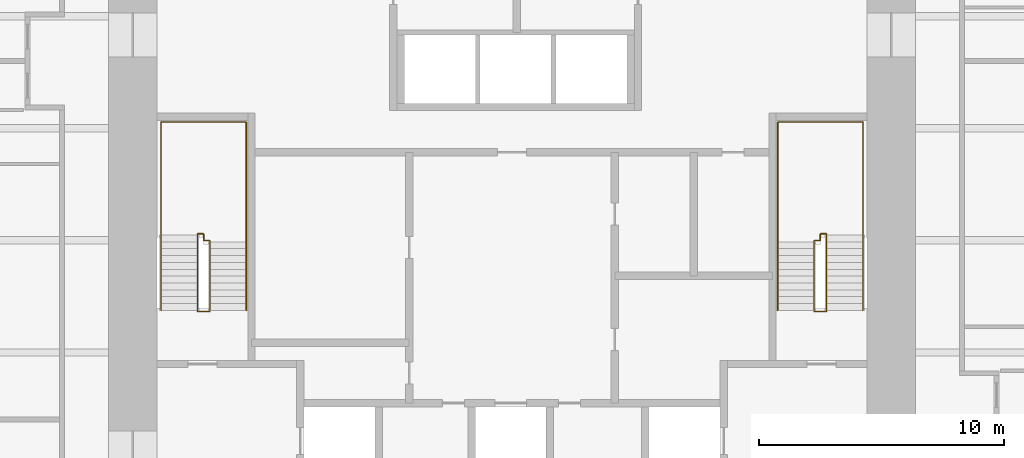
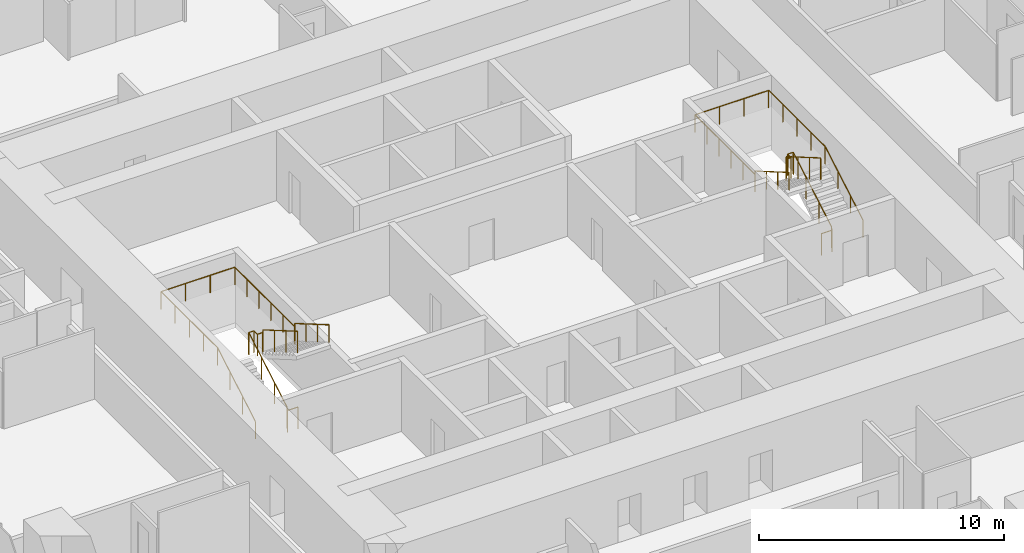
# One storey, part 13 of 13: 4 railings.
"""IFC4 building model written with IfcOpenShell, lengths in metres."""

from ifc_helpers import new_model, si_unit, direction, frame, origin, origin_2d, place, context, subcontext, project, spatial, circle, extrude, material, type_object, element, save


model = new_model("IFC4")

# Units and contexts
model_context = context("Model", 3, precision=1e-05, world=origin(), true_north=direction((0.0, 1.0)))
body_context = subcontext(model_context, "Body", "Model", "MODEL_VIEW")
ifc_project = project(units=[si_unit("LENGTHUNIT", "METRE"), si_unit("AREAUNIT", "SQUARE_METRE"), si_unit("VOLUMEUNIT", "CUBIC_METRE"), si_unit("PLANEANGLEUNIT", "RADIAN"), si_unit("MASSUNIT", "GRAM", prefix="KILO")], contexts=[model_context])

# Site, building, storey
site_placement = place(None, origin())
site = spatial("IfcSite", under=ifc_project, at=site_placement, CompositionType="ELEMENT")
building_placement = place(site_placement, origin())
building = spatial("IfcBuilding", under=site, at=building_placement, Name="Khuree Lantern Residences", CompositionType="ELEMENT")
storey_placement = place(building_placement, frame((0.0, 0.0, 122.25)))
storey = spatial("IfcBuildingStorey", under=building, at=storey_placement, Name="L30", CompositionType="ELEMENT", Elevation=122.25)

# Railings
ifc_material = material(Name="Steel S355", Category="steel")
railing_type_1 = type_object("IfcRailingType", Name="STAIR GUARD G1 1100", PredefinedType="GUARDRAIL", material=ifc_material)
railing_1_placement = place(storey_placement, frame((-12.35009765625, -2.909912109375, 0.0)))
element("IfcRailing", 1, at=railing_1_placement, inside=storey, type_object=railing_type_1, Name="Stair ST1 guard", PredefinedType="GUARDRAIL", context=body_context, shape_type="SweptSolid", body=[
    extrude(circle(Radius=0.02392578125, at=origin_2d()), frame((0.0, 0.0, 1.076171875), z_axis=(-1.0, 0.0, 0.0), x_axis=(0.0, -1.0, 0.0)), (0.0, 0.0, 1.0), 0.5),
    extrude(circle(Radius=0.02392578125, at=origin_2d()), frame((-0.5, 0.0, 1.076171875), z_axis=(0.0, 0.292073035251, 0.95639601739), x_axis=(-1.0, 0.0, 0.0)), (0.0, 0.0, 1.0), 0.17041015625),
    extrude(circle(Radius=0.02392578125, at=origin_2d()), frame((-0.5, 0.0498046875, 1.2392578125), z_axis=(0.0, 0.864176135923, 0.503189433615), x_axis=(-1.0, 0.0, 0.0)), (0.0, 0.0, 1.0), 3.564208984375),
    extrude(circle(Radius=0.02392578125, at=origin_2d()), frame((-0.5, 3.1298828125, 3.03271484375), z_axis=(0.0, 1.0, 0.0), x_axis=(-1.0, 0.0, 0.0)), (0.0, 0.0, 1.0), 0.050048828125),
    extrude(circle(Radius=0.02392578125, at=origin_2d()), frame((-0.5, 3.179931640625, 3.03271484375), z_axis=(1.0, 0.0, 0.0), x_axis=(0.0, 1.0, 0.0)), (0.0, 0.0, 1.0), 0.25),
    extrude(circle(Radius=0.02392578125, at=origin_2d()), frame((-0.25, 3.179931640625, 3.03271484375), z_axis=(0.0, -1.0, 0.0), x_axis=(1.0, 0.0, 0.0)), (0.0, 0.0, 1.0), 0.280029296875),
    extrude(circle(Radius=0.02392578125, at=origin_2d()), frame((-0.25, 2.89990234375, 3.03271484375), z_axis=(1.0, 0.0, 0.0), x_axis=(0.0, 1.0, 0.0)), (0.0, 0.0, 1.0), 0.25),
    extrude(circle(Radius=0.02392578125, at=origin_2d()), frame((0.0, 2.89990234375, 3.03271484375), z_axis=(0.0, -0.293381807449, 0.955995353053), x_axis=(1.0, 0.0, 0.0)), (0.0, 0.0, 1.0), 0.170654296875),
    extrude(circle(Radius=0.02392578125, at=origin_2d()), frame((0.0, 2.849853515625, 3.19580078125), z_axis=(0.0, -0.864180358799, 0.503182181189), x_axis=(1.0, 0.0, 0.0)), (0.0, 0.0, 1.0), 3.240234375),
    extrude(circle(Radius=0.02099609375, at=origin_2d()), origin(), (0.0, 0.0, 1.0), 1.052001953125),
    extrude(circle(Radius=0.02099609375, at=origin_2d()), frame((-0.5, 0.0, 0.0)), (0.0, 0.0, 1.0), 1.052001953125),
    extrude(circle(Radius=0.02099609375, at=origin_2d()), frame((-0.5, 0.0498046875, 0.1630859375)), (0.0, 0.0, 1.0), 1.052001953125),
    extrude(circle(Radius=0.02099609375, at=origin_2d()), frame((-0.5, 1.076416015625, 0.760986328125)), (0.0, 0.0, 1.0), 1.052001953125),
    extrude(circle(Radius=0.02099609375, at=origin_2d()), frame((-0.5, 2.103271484375, 1.358642578125)), (0.0, 0.0, 1.0), 1.052001953125),
    extrude(circle(Radius=0.02099609375, at=origin_2d()), frame((-0.5, 3.1298828125, 1.95654296875)), (0.0, 0.0, 1.0), 1.052001953125),
    extrude(circle(Radius=0.02099609375, at=origin_2d()), frame((-0.5, 3.179931640625, 1.95654296875)), (0.0, 0.0, 1.0), 1.052001953125),
    extrude(circle(Radius=0.02099609375, at=origin_2d()), frame((-0.25, 3.179931640625, 1.95654296875)), (0.0, 0.0, 1.0), 1.052001953125),
    extrude(circle(Radius=0.02099609375, at=origin_2d()), frame((-0.25, 2.89990234375, 1.95654296875)), (0.0, 0.0, 1.0), 1.052001953125),
    extrude(circle(Radius=0.02099609375, at=origin_2d()), frame((0.0, 2.89990234375, 1.95654296875)), (0.0, 0.0, 1.0), 1.052001953125),
    extrude(circle(Radius=0.02099609375, at=origin_2d()), frame((0.0, 2.849853515625, 2.11962890625)), (0.0, 0.0, 1.0), 1.052001953125),
    extrude(circle(Radius=0.02099609375, at=origin_2d()), frame((0.0, 1.91650390625, 2.6630859375)), (0.0, 0.0, 1.0), 1.052001953125),
    extrude(circle(Radius=0.02099609375, at=origin_2d()), frame((0.0, 0.983154296875, 3.20654296875)), (0.0, 0.0, 1.0), 1.052001953125),
    extrude(circle(Radius=0.02099609375, at=origin_2d()), frame((0.0, 0.0498046875, 3.75)), (0.0, 0.0, 1.0), 1.052001953125),
])
railing_2_placement = place(storey_placement, frame((12.35009765625, -2.909912109375, 0.0)))
element("IfcRailing", 2, at=railing_2_placement, inside=storey, type_object=railing_type_1, Name="Stair ST2 guard", PredefinedType="GUARDRAIL", context=body_context, shape_type="SweptSolid", body=[
    extrude(circle(Radius=0.02392578125, at=origin_2d()), frame((0.0, 0.0, 1.076171875), z_axis=(1.0, 0.0, 0.0), x_axis=(0.0, 1.0, 0.0)), (0.0, 0.0, 1.0), 0.5),
    extrude(circle(Radius=0.02392578125, at=origin_2d()), frame((0.5, 0.0, 1.076171875), z_axis=(0.0, 0.292073035251, 0.95639601739), x_axis=(-1.0, 0.0, 0.0)), (0.0, 0.0, 1.0), 0.17041015625),
    extrude(circle(Radius=0.02392578125, at=origin_2d()), frame((0.5, 0.0498046875, 1.2392578125), z_axis=(0.0, 0.864176135923, 0.503189433615), x_axis=(-1.0, 0.0, 0.0)), (0.0, 0.0, 1.0), 3.564208984375),
    extrude(circle(Radius=0.02392578125, at=origin_2d()), frame((0.5, 3.1298828125, 3.03271484375), z_axis=(0.0, 1.0, 0.0), x_axis=(-1.0, 0.0, 0.0)), (0.0, 0.0, 1.0), 0.050048828125),
    extrude(circle(Radius=0.02392578125, at=origin_2d()), frame((0.5, 3.179931640625, 3.03271484375), z_axis=(-1.0, 0.0, 0.0), x_axis=(0.0, -1.0, 0.0)), (0.0, 0.0, 1.0), 0.25),
    extrude(circle(Radius=0.02392578125, at=origin_2d()), frame((0.25, 3.179931640625, 3.03271484375), z_axis=(0.0, -1.0, 0.0), x_axis=(1.0, 0.0, 0.0)), (0.0, 0.0, 1.0), 0.280029296875),
    extrude(circle(Radius=0.02392578125, at=origin_2d()), frame((0.25, 2.89990234375, 3.03271484375), z_axis=(-1.0, 0.0, 0.0), x_axis=(0.0, -1.0, 0.0)), (0.0, 0.0, 1.0), 0.25),
    extrude(circle(Radius=0.02392578125, at=origin_2d()), frame((0.0, 2.89990234375, 3.03271484375), z_axis=(0.0, -0.293381807449, 0.955995353053), x_axis=(1.0, 0.0, 0.0)), (0.0, 0.0, 1.0), 0.170654296875),
    extrude(circle(Radius=0.02392578125, at=origin_2d()), frame((0.0, 2.849853515625, 3.19580078125), z_axis=(0.0, -0.864180358799, 0.503182181189), x_axis=(1.0, 0.0, 0.0)), (0.0, 0.0, 1.0), 3.240234375),
    extrude(circle(Radius=0.02099609375, at=origin_2d()), origin(), (0.0, 0.0, 1.0), 1.052001953125),
    extrude(circle(Radius=0.02099609375, at=origin_2d()), frame((0.5, 0.0, 0.0)), (0.0, 0.0, 1.0), 1.052001953125),
    extrude(circle(Radius=0.02099609375, at=origin_2d()), frame((0.5, 0.0498046875, 0.1630859375)), (0.0, 0.0, 1.0), 1.052001953125),
    extrude(circle(Radius=0.02099609375, at=origin_2d()), frame((0.5, 1.076416015625, 0.760986328125)), (0.0, 0.0, 1.0), 1.052001953125),
    extrude(circle(Radius=0.02099609375, at=origin_2d()), frame((0.5, 2.103271484375, 1.358642578125)), (0.0, 0.0, 1.0), 1.052001953125),
    extrude(circle(Radius=0.02099609375, at=origin_2d()), frame((0.5, 3.1298828125, 1.95654296875)), (0.0, 0.0, 1.0), 1.052001953125),
    extrude(circle(Radius=0.02099609375, at=origin_2d()), frame((0.5, 3.179931640625, 1.95654296875)), (0.0, 0.0, 1.0), 1.052001953125),
    extrude(circle(Radius=0.02099609375, at=origin_2d()), frame((0.25, 3.179931640625, 1.95654296875)), (0.0, 0.0, 1.0), 1.052001953125),
    extrude(circle(Radius=0.02099609375, at=origin_2d()), frame((0.25, 2.89990234375, 1.95654296875)), (0.0, 0.0, 1.0), 1.052001953125),
    extrude(circle(Radius=0.02099609375, at=origin_2d()), frame((0.0, 2.89990234375, 1.95654296875)), (0.0, 0.0, 1.0), 1.052001953125),
    extrude(circle(Radius=0.02099609375, at=origin_2d()), frame((0.0, 2.849853515625, 2.11962890625)), (0.0, 0.0, 1.0), 1.052001953125),
    extrude(circle(Radius=0.02099609375, at=origin_2d()), frame((0.0, 1.91650390625, 2.6630859375)), (0.0, 0.0, 1.0), 1.052001953125),
    extrude(circle(Radius=0.02099609375, at=origin_2d()), frame((0.0, 0.983154296875, 3.20654296875)), (0.0, 0.0, 1.0), 1.052001953125),
    extrude(circle(Radius=0.02099609375, at=origin_2d()), frame((0.0, 0.0498046875, 3.75)), (0.0, 0.0, 1.0), 1.052001953125),
])
railing_type_2 = type_object("IfcRailingType", Name="STAIR HANDRAIL H1 900", PredefinedType="HANDRAIL", material=ifc_material)
railing_3_placement = place(storey_placement, frame((-14.340087890625, -2.860107421875, 0.1630859375)))
element("IfcRailing", 3, at=railing_3_placement, inside=storey, type_object=railing_type_2, Name="Stair ST1 handrail", PredefinedType="HANDRAIL", context=body_context, shape_type="SweptSolid", body=[
    extrude(circle(Radius=0.02392578125, at=origin_2d()), frame((0.0, 0.0, 0.8759765625), z_axis=(0.0, 0.864176135923, 0.503189433615), x_axis=(-1.0, 0.0, 0.0)), (0.0, 0.0, 1.0), 3.564208984375),
    extrude(circle(Radius=0.02392578125, at=origin_2d()), frame((0.0, 3.080078125, 2.66943359375), z_axis=(0.0, 1.0, 0.0), x_axis=(-1.0, 0.0, 0.0)), (0.0, 0.0, 1.0), 4.6201171875),
    extrude(circle(Radius=0.02392578125, at=origin_2d()), frame((0.0, 7.7001953125, 2.66943359375), z_axis=(1.0, 0.0, 0.0), x_axis=(0.0, 1.0, 0.0)), (0.0, 0.0, 1.0), 3.47998046875),
    extrude(circle(Radius=0.02392578125, at=origin_2d()), frame((3.47998046875, 7.7001953125, 2.66943359375), z_axis=(0.0, -1.0, 0.0), x_axis=(1.0, 0.0, 0.0)), (0.0, 0.0, 1.0), 4.900146484375),
    extrude(circle(Radius=0.02392578125, at=origin_2d()), frame((3.47998046875, 2.800048828125, 2.66943359375), z_axis=(0.0, 0.0, 1.0), x_axis=(1.0, 0.0, 0.0)), (0.0, 0.0, 1.0), 0.1630859375),
    extrude(circle(Radius=0.02392578125, at=origin_2d()), frame((3.47998046875, 2.800048828125, 2.83251953125), z_axis=(0.0, -0.864180358799, 0.503182181189), x_axis=(1.0, 0.0, 0.0)), (0.0, 0.0, 1.0), 3.240234375),
    extrude(circle(Radius=0.02099609375, at=origin_2d()), origin(), (0.0, 0.0, 1.0), 0.851806640625),
    extrude(circle(Radius=0.02099609375, at=origin_2d()), frame((0.0, 1.026611328125, 0.597900390625)), (0.0, 0.0, 1.0), 0.851806640625),
    extrude(circle(Radius=0.02099609375, at=origin_2d()), frame((0.0, 2.053466796875, 1.195556640625)), (0.0, 0.0, 1.0), 0.851806640625),
    extrude(circle(Radius=0.02099609375, at=origin_2d()), frame((0.0, 3.080078125, 1.79345703125)), (0.0, 0.0, 1.0), 0.851806640625),
    extrude(circle(Radius=0.02099609375, at=origin_2d()), frame((0.0, 4.235107421875, 1.79345703125)), (0.0, 0.0, 1.0), 0.851806640625),
    extrude(circle(Radius=0.02099609375, at=origin_2d()), frame((0.0, 5.39013671875, 1.79345703125)), (0.0, 0.0, 1.0), 0.851806640625),
    extrude(circle(Radius=0.02099609375, at=origin_2d()), frame((0.0, 6.545166015625, 1.79345703125)), (0.0, 0.0, 1.0), 0.851806640625),
    extrude(circle(Radius=0.02099609375, at=origin_2d()), frame((0.0, 7.7001953125, 1.79345703125)), (0.0, 0.0, 1.0), 0.851806640625),
    extrude(circle(Radius=0.02099609375, at=origin_2d()), frame((1.159912109375, 7.7001953125, 1.79345703125)), (0.0, 0.0, 1.0), 0.851806640625),
    extrude(circle(Radius=0.02099609375, at=origin_2d()), frame((2.320068359375, 7.7001953125, 1.79345703125)), (0.0, 0.0, 1.0), 0.851806640625),
    extrude(circle(Radius=0.02099609375, at=origin_2d()), frame((3.47998046875, 7.7001953125, 1.79345703125)), (0.0, 0.0, 1.0), 0.851806640625),
    extrude(circle(Radius=0.02099609375, at=origin_2d()), frame((3.47998046875, 6.72021484375, 1.79345703125)), (0.0, 0.0, 1.0), 0.851806640625),
    extrude(circle(Radius=0.02099609375, at=origin_2d()), frame((3.47998046875, 5.740234375, 1.79345703125)), (0.0, 0.0, 1.0), 0.851806640625),
    extrude(circle(Radius=0.02099609375, at=origin_2d()), frame((3.47998046875, 4.760009765625, 1.79345703125)), (0.0, 0.0, 1.0), 0.851806640625),
    extrude(circle(Radius=0.02099609375, at=origin_2d()), frame((3.47998046875, 3.780029296875, 1.79345703125)), (0.0, 0.0, 1.0), 0.851806640625),
    extrude(circle(Radius=0.02099609375, at=origin_2d()), frame((3.47998046875, 2.800048828125, 1.79345703125)), (0.0, 0.0, 1.0), 0.851806640625),
    extrude(circle(Radius=0.02099609375, at=origin_2d()), frame((3.47998046875, 2.800048828125, 1.95654296875)), (0.0, 0.0, 1.0), 0.851806640625),
    extrude(circle(Radius=0.02099609375, at=origin_2d()), frame((3.47998046875, 1.86669921875, 2.5)), (0.0, 0.0, 1.0), 0.851806640625),
    extrude(circle(Radius=0.02099609375, at=origin_2d()), frame((3.47998046875, 0.933349609375, 3.04345703125)), (0.0, 0.0, 1.0), 0.851806640625),
    extrude(circle(Radius=0.02099609375, at=origin_2d()), frame((3.47998046875, 0.0, 3.5869140625)), (0.0, 0.0, 1.0), 0.851806640625),
])
railing_4_placement = place(storey_placement, frame((14.340087890625, -2.860107421875, 0.1630859375)))
element("IfcRailing", 4, at=railing_4_placement, inside=storey, type_object=railing_type_2, Name="Stair ST2 handrail", PredefinedType="HANDRAIL", context=body_context, shape_type="SweptSolid", body=[
    extrude(circle(Radius=0.02392578125, at=origin_2d()), frame((0.0, 0.0, 0.8759765625), z_axis=(0.0, 0.864176135923, 0.503189433615), x_axis=(-1.0, 0.0, 0.0)), (0.0, 0.0, 1.0), 3.564208984375),
    extrude(circle(Radius=0.02392578125, at=origin_2d()), frame((0.0, 3.080078125, 2.66943359375), z_axis=(0.0, 1.0, 0.0), x_axis=(-1.0, 0.0, 0.0)), (0.0, 0.0, 1.0), 4.6201171875),
    extrude(circle(Radius=0.02392578125, at=origin_2d()), frame((0.0, 7.7001953125, 2.66943359375), z_axis=(-1.0, 0.0, 0.0), x_axis=(0.0, -1.0, 0.0)), (0.0, 0.0, 1.0), 3.47998046875),
    extrude(circle(Radius=0.02392578125, at=origin_2d()), frame((-3.47998046875, 7.7001953125, 2.66943359375), z_axis=(0.0, -1.0, 0.0), x_axis=(1.0, 0.0, 0.0)), (0.0, 0.0, 1.0), 4.900146484375),
    extrude(circle(Radius=0.02392578125, at=origin_2d()), frame((-3.47998046875, 2.800048828125, 2.66943359375), z_axis=(0.0, 0.0, 1.0), x_axis=(1.0, 0.0, 0.0)), (0.0, 0.0, 1.0), 0.1630859375),
    extrude(circle(Radius=0.02392578125, at=origin_2d()), frame((-3.47998046875, 2.800048828125, 2.83251953125), z_axis=(0.0, -0.864180358799, 0.503182181189), x_axis=(1.0, 0.0, 0.0)), (0.0, 0.0, 1.0), 3.240234375),
    extrude(circle(Radius=0.02099609375, at=origin_2d()), origin(), (0.0, 0.0, 1.0), 0.851806640625),
    extrude(circle(Radius=0.02099609375, at=origin_2d()), frame((0.0, 1.026611328125, 0.597900390625)), (0.0, 0.0, 1.0), 0.851806640625),
    extrude(circle(Radius=0.02099609375, at=origin_2d()), frame((0.0, 2.053466796875, 1.195556640625)), (0.0, 0.0, 1.0), 0.851806640625),
    extrude(circle(Radius=0.02099609375, at=origin_2d()), frame((0.0, 3.080078125, 1.79345703125)), (0.0, 0.0, 1.0), 0.851806640625),
    extrude(circle(Radius=0.02099609375, at=origin_2d()), frame((0.0, 4.235107421875, 1.79345703125)), (0.0, 0.0, 1.0), 0.851806640625),
    extrude(circle(Radius=0.02099609375, at=origin_2d()), frame((0.0, 5.39013671875, 1.79345703125)), (0.0, 0.0, 1.0), 0.851806640625),
    extrude(circle(Radius=0.02099609375, at=origin_2d()), frame((0.0, 6.545166015625, 1.79345703125)), (0.0, 0.0, 1.0), 0.851806640625),
    extrude(circle(Radius=0.02099609375, at=origin_2d()), frame((0.0, 7.7001953125, 1.79345703125)), (0.0, 0.0, 1.0), 0.851806640625),
    extrude(circle(Radius=0.02099609375, at=origin_2d()), frame((-1.159912109375, 7.7001953125, 1.79345703125)), (0.0, 0.0, 1.0), 0.851806640625),
    extrude(circle(Radius=0.02099609375, at=origin_2d()), frame((-2.320068359375, 7.7001953125, 1.79345703125)), (0.0, 0.0, 1.0), 0.851806640625),
    extrude(circle(Radius=0.02099609375, at=origin_2d()), frame((-3.47998046875, 7.7001953125, 1.79345703125)), (0.0, 0.0, 1.0), 0.851806640625),
    extrude(circle(Radius=0.02099609375, at=origin_2d()), frame((-3.47998046875, 6.72021484375, 1.79345703125)), (0.0, 0.0, 1.0), 0.851806640625),
    extrude(circle(Radius=0.02099609375, at=origin_2d()), frame((-3.47998046875, 5.740234375, 1.79345703125)), (0.0, 0.0, 1.0), 0.851806640625),
    extrude(circle(Radius=0.02099609375, at=origin_2d()), frame((-3.47998046875, 4.760009765625, 1.79345703125)), (0.0, 0.0, 1.0), 0.851806640625),
    extrude(circle(Radius=0.02099609375, at=origin_2d()), frame((-3.47998046875, 3.780029296875, 1.79345703125)), (0.0, 0.0, 1.0), 0.851806640625),
    extrude(circle(Radius=0.02099609375, at=origin_2d()), frame((-3.47998046875, 2.800048828125, 1.79345703125)), (0.0, 0.0, 1.0), 0.851806640625),
    extrude(circle(Radius=0.02099609375, at=origin_2d()), frame((-3.47998046875, 2.800048828125, 1.95654296875)), (0.0, 0.0, 1.0), 0.851806640625),
    extrude(circle(Radius=0.02099609375, at=origin_2d()), frame((-3.47998046875, 1.86669921875, 2.5)), (0.0, 0.0, 1.0), 0.851806640625),
    extrude(circle(Radius=0.02099609375, at=origin_2d()), frame((-3.47998046875, 0.933349609375, 3.04345703125)), (0.0, 0.0, 1.0), 0.851806640625),
    extrude(circle(Radius=0.02099609375, at=origin_2d()), frame((-3.47998046875, 0.0, 3.5869140625)), (0.0, 0.0, 1.0), 0.851806640625),
])

save(model, "model.ifc")
